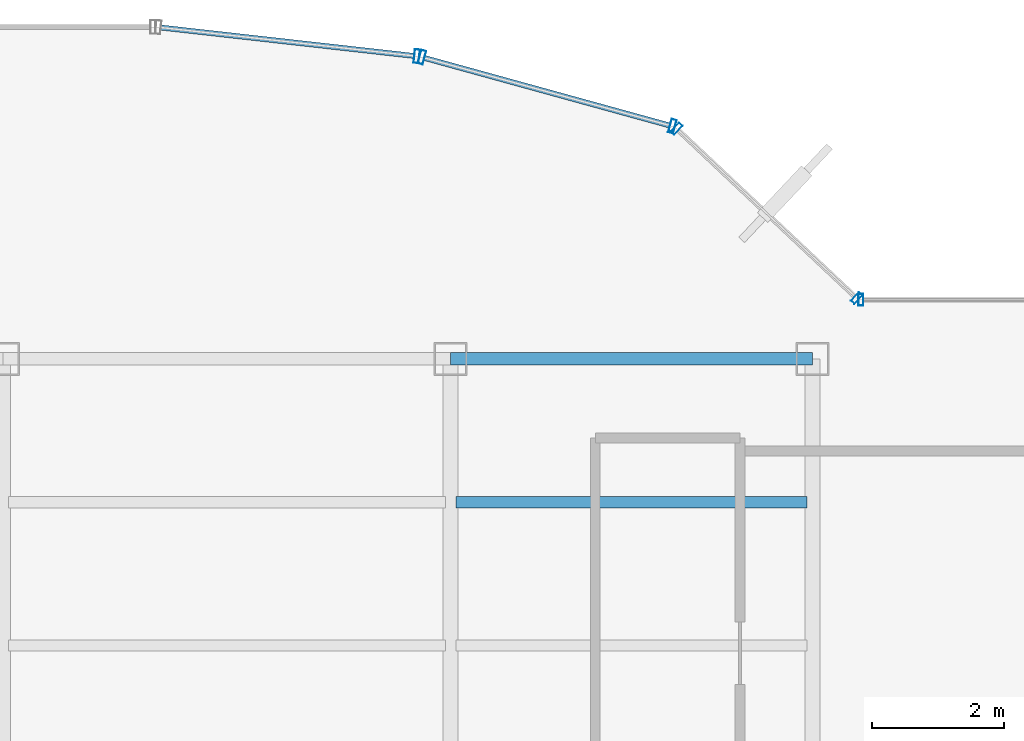
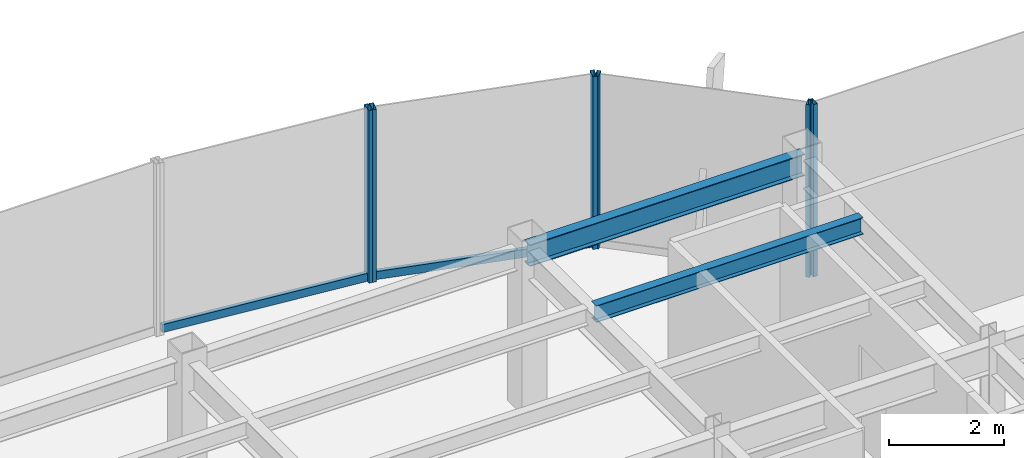
# One storey, part 14 of 22: 8 members, 2 beams, 4 elements without a shape of their own.
"""IFC4 building model written with IfcOpenShell, lengths in metres."""

from ifc_helpers import new_model, si_unit, derived_unit, direction, frame, origin, origin_2d, place, context, subcontext, project, spatial, hollow_rectangle, i_section, extrude, source, transform, mapped, material, material_profile, profile_set, type_object, element, aggregate, save


model = new_model("IFC4")

# Units and contexts
model_context = context("Model", 3, precision=1e-05, world=origin(), true_north=direction((0.0, 1.0)))
body_context = subcontext(model_context, "Body", "Model", "MODEL_VIEW")
ifc_project = project(units=[si_unit("LENGTHUNIT", "METRE"), si_unit("AREAUNIT", "SQUARE_METRE"), si_unit("VOLUMEUNIT", "CUBIC_METRE"), si_unit("PLANEANGLEUNIT", "RADIAN"), si_unit("MASSUNIT", "GRAM", prefix="KILO"), derived_unit("THERMALTRANSMITTANCEUNIT", [(si_unit("POWERUNIT", "WATT"), 1), (si_unit("LENGTHUNIT", "METRE"), -2), (si_unit("THERMODYNAMICTEMPERATUREUNIT", "KELVIN"), -1)])], contexts=[model_context])

# Site, building, storey
site_placement = place(None, origin())
site = spatial("IfcSite", under=ifc_project, at=site_placement, CompositionType="ELEMENT")
building_placement = place(site_placement, origin())
building = spatial("IfcBuilding", under=site, at=building_placement, Name="Skarnbrae Concourse Arena and Tower", CompositionType="ELEMENT")
storey_placement = place(building_placement, frame((0.0, 0.0, 199.550048828125)))
storey = spatial("IfcBuildingStorey", under=building, at=storey_placement, Name="L51", CompositionType="ELEMENT", Elevation=199.550048828125)

# Beams
ifc_material_1 = material(Name="Steel CSA G40.21 350W", Category="steel")
ifc_material_profile_1 = material_profile(ifc_material_1, i_section(OverallWidth=0.19091796875, OverallDepth=0.4599609375, WebThickness=0.010009765625, FlangeThickness=0.01611328125, at=origin_2d()), Name="W460X82")
ifc_profile_set_1 = profile_set([ifc_material_profile_1], Name="Steel CSA G40.21 350W")
beam_type_1 = type_object("IfcBeamType", Name="BM-SPAN-W460X82", PredefinedType="SPANDREL", material=ifc_profile_set_1)
shared_shape_1 = source(origin(), body_context, "Body", "SweptSolid", [
    extrude(i_section(OverallWidth=0.19091796875, OverallDepth=0.4599609375, WebThickness=0.010009765625, FlangeThickness=0.01611328125, at=origin_2d()), origin(), (0.0, 0.0, 1.0), 5.5),
])
beam_1_placement = place(storey_placement, frame((28.0, 34.39990234375, 3.169921875), z_axis=(1.0, 0.0, 0.0), x_axis=(0.0, 1.0, 0.0)))
element("IfcBeam", 1, at=beam_1_placement, inside=storey, type_object=beam_type_1, Name="L51 Perimeter spandrel Y34.4-4", PredefinedType="SPANDREL", context=body_context, shape_type="MappedRepresentation", body=[
    mapped(shared_shape_1, transform((0.0, 0.0, 0.0))),
])
ifc_material_profile_2 = material_profile(ifc_material_1, i_section(OverallWidth=0.1708984375, OverallDepth=0.35498046875, WebThickness=0.007080078125, FlangeThickness=0.01171875, at=origin_2d()), Name="W360X51")
ifc_profile_set_2 = profile_set([ifc_material_profile_2], Name="Steel CSA G40.21 350W")
beam_type_2 = type_object("IfcBeamType", Name="BM-JOIST-W360X51", PredefinedType="JOIST", material=ifc_profile_set_2)
shared_shape_2 = source(origin(), body_context, "Body", "SweptSolid", [
    extrude(i_section(OverallWidth=0.1708984375, OverallDepth=0.35498046875, WebThickness=0.007080078125, FlangeThickness=0.01171875, at=origin_2d()), origin(), (0.0, 0.0, 1.0), 5.33984375),
])
beam_2_placement = place(storey_placement, frame((28.080078125, 32.221923828125, 3.222412109375), z_axis=(1.0, 0.0, 0.0), x_axis=(0.0, 1.0, 0.0)))
element("IfcBeam", 2, at=beam_2_placement, inside=storey, type_object=beam_type_2, Name="L51 Secondary floor joist 3.2.4", PredefinedType="JOIST", context=body_context, shape_type="MappedRepresentation", body=[
    mapped(shared_shape_2, transform((0.0, 0.0, 0.0))),
])

# Curtain wall, members
ifc_material_2 = material(Name="Bronze anodised aluminium 6063-T6", Category="aluminium")
curtain_wall_type_1 = type_object("IfcCurtainWallType", Name="CW-SYS-03-PORTAL", PredefinedType="USERDEFINED", material=ifc_material_2)
curtain_wall_1_placement = place(storey_placement, origin())
curtain_wall_1 = element("IfcCurtainWall", 3, at=curtain_wall_1_placement, inside=storey, type_object=curtain_wall_type_1, Name="L51 Unitised curtain wall CW-L51-E09", ObjectType="UNITISED CURTAIN WALL", PredefinedType="USERDEFINED")
ifc_material_profile_3 = material_profile(ifc_material_2, hollow_rectangle(XDim=0.080078125, YDim=0.2099609375, WallThickness=0.00439453125, at=origin_2d()), Name="ALU-MULL-80X210")
ifc_profile_set_3 = profile_set([ifc_material_profile_3], Name="Bronze anodised aluminium 6063-T6")
member_type_1 = type_object("IfcMemberType", Name="CWM-CW-03", PredefinedType="MULLION", material=ifc_profile_set_3)
shared_shape_3 = source(origin(), body_context, "Body", "SweptSolid", [
    extrude(hollow_rectangle(XDim=0.080078125, YDim=0.2099609375, WallThickness=0.00439453125, at=origin_2d()), origin(), (0.0, 0.0, 1.0), 3.64990234375),
])
member_1_placement = place(storey_placement, frame((31.37109375, 37.937255859375, 0.0), z_axis=(0.0, 0.0, 1.0), x_axis=(-0.964057388766, 0.265694093207, 0.0)))
member_1 = element("IfcMember", 4, at=member_1_placement, type_object=member_type_1, Name="CW-L51-E09 Mullion 1", PredefinedType="MULLION", context=body_context, shape_type="MappedRepresentation", body=[
    mapped(shared_shape_3, transform((0.0, 0.0, 0.0))),
])
member_2_placement = place(storey_placement, frame((27.564453125, 38.986572265625, 0.0), z_axis=(0.0, 0.0, 1.0), x_axis=(-0.964057388766, 0.265694093207, 0.0)))
member_2 = element("IfcMember", 5, at=member_2_placement, type_object=member_type_1, Name="CW-L51-E09 Mullion 2", PredefinedType="MULLION", context=body_context, shape_type="MappedRepresentation", body=[
    mapped(shared_shape_3, transform((0.0, 0.0, 0.0))),
])

# Curtain wall, member
curtain_wall_2_placement = place(storey_placement, origin())
curtain_wall_2 = element("IfcCurtainWall", 6, at=curtain_wall_2_placement, inside=storey, type_object=curtain_wall_type_1, Name="L51 Unitised curtain wall CW-L51-E10", ObjectType="UNITISED CURTAIN WALL", PredefinedType="USERDEFINED")
member_3_placement = place(storey_placement, frame((27.486083984375, 39.001708984375, 0.0), z_axis=(0.0, 0.0, 1.0), x_axis=(-0.993768891873, 0.111460259941, 0.0)))
member_3 = element("IfcMember", 7, at=member_3_placement, type_object=member_type_1, Name="CW-L51-E10 Mullion 1", PredefinedType="MULLION", context=body_context, shape_type="MappedRepresentation", body=[
    mapped(shared_shape_3, transform((0.0, 0.0, 0.0))),
])

curtain_wall_type_2 = type_object("IfcCurtainWallType", Name="CW-SYS-05-HIGHZONE", PredefinedType="USERDEFINED", material=ifc_material_2)
curtain_wall_3_placement = place(storey_placement, origin())
curtain_wall_3 = element("IfcCurtainWall", 8, at=curtain_wall_3_placement, inside=storey, type_object=curtain_wall_type_2, Name="L51 Unitised curtain wall CW-L51-E07", ObjectType="UNITISED CURTAIN WALL", PredefinedType="USERDEFINED")
ifc_material_profile_4 = material_profile(ifc_material_2, hollow_rectangle(XDim=0.074951171875, YDim=0.179931640625, WallThickness=0.00390625, at=origin_2d()), Name="ALU-MULL-75X180")
ifc_profile_set_4 = profile_set([ifc_material_profile_4], Name="Bronze anodised aluminium 6063-T6")
member_type_2 = type_object("IfcMemberType", Name="CWM-CW-05", PredefinedType="MULLION", material=ifc_profile_set_4)
shared_shape_4 = source(origin(), body_context, "Body", "SweptSolid", [
    extrude(hollow_rectangle(XDim=0.074951171875, YDim=0.179931640625, WallThickness=0.00390625, at=origin_2d()), origin(), (0.0, 0.0, 1.0), 3.64990234375),
])
member_4_placement = place(storey_placement, frame((34.237548828125, 35.300048828125, 0.0), z_axis=(0.0, 0.0, 1.0), x_axis=(-1.0, 0.0, 0.0)))
member_4 = element("IfcMember", 9, at=member_4_placement, type_object=member_type_2, Name="CW-L51-E07 Mullion 2", PredefinedType="MULLION", context=body_context, shape_type="MappedRepresentation", body=[
    mapped(shared_shape_4, transform((0.0, 0.0, 0.0))),
])
aggregate(curtain_wall_3, [member_4])

# Curtain wall, members
curtain_wall_4_placement = place(storey_placement, origin())
curtain_wall_4 = element("IfcCurtainWall", 10, at=curtain_wall_4_placement, inside=storey, type_object=curtain_wall_type_2, Name="L51 Unitised curtain wall CW-L51-E08", ObjectType="UNITISED CURTAIN WALL", PredefinedType="USERDEFINED")
member_5_placement = place(storey_placement, frame((34.172607421875, 35.32568359375, 0.0), z_axis=(0.0, 0.0, 1.0), x_axis=(-0.728130555214, 0.685438468838, 0.0)))
member_5 = element("IfcMember", 11, at=member_5_placement, type_object=member_type_2, Name="CW-L51-E08 Mullion 1", PredefinedType="MULLION", context=body_context, shape_type="MappedRepresentation", body=[
    mapped(shared_shape_4, transform((0.0, 0.0, 0.0))),
])
member_6_placement = place(storey_placement, frame((31.43701171875, 37.90087890625, 0.0), z_axis=(0.0, 0.0, 1.0), x_axis=(-0.728130555214, 0.685438468838, 0.0)))
member_6 = element("IfcMember", 12, at=member_6_placement, type_object=member_type_2, Name="CW-L51-E08 Mullion 2", PredefinedType="MULLION", context=body_context, shape_type="MappedRepresentation", body=[
    mapped(shared_shape_4, transform((0.0, 0.0, 0.0))),
])
aggregate(curtain_wall_4, [member_5, member_6])

# Member
ifc_material_profile_5 = material_profile(ifc_material_2, hollow_rectangle(XDim=0.080078125, YDim=0.169921875, WallThickness=0.00439453125, at=origin_2d()), Name="ALU-TRAN-80X170")
ifc_profile_set_5 = profile_set([ifc_material_profile_5], Name="Bronze anodised aluminium 6063-T6")
member_type_3 = type_object("IfcMemberType", Name="CWT-CW-03", PredefinedType="USERDEFINED", material=ifc_profile_set_5)
shared_shape_5 = source(origin(), body_context, "Body", "SweptSolid", [
    extrude(hollow_rectangle(XDim=0.080078125, YDim=0.169921875, WallThickness=0.00439453125, at=origin_2d()), origin(), (0.0, 0.0, 1.0), 3.86865234375),
])
member_7_placement = place(storey_placement, frame((31.33251953125, 37.947998046875, 0.0849609375), z_axis=(-0.964062872218, 0.265674195983, 0.0), x_axis=(-0.265674195983, -0.964062872218, 0.0)))
member_7 = element("IfcMember", 13, at=member_7_placement, type_object=member_type_3, Name="CW-L51-E09 Transom 1", ObjectType="TRANSOM", PredefinedType="USERDEFINED", context=body_context, shape_type="MappedRepresentation", body=[
    mapped(shared_shape_5, transform((0.0, 0.0, 0.0))),
])

aggregate(curtain_wall_1, [member_1, member_2, member_7])

shared_shape_6 = source(origin(), body_context, "Body", "SweptSolid", [
    extrude(hollow_rectangle(XDim=0.080078125, YDim=0.169921875, WallThickness=0.00439453125, at=origin_2d()), origin(), (0.0, 0.0, 1.0), 3.873779296875),
])
member_8_placement = place(storey_placement, frame((27.4462890625, 39.006103515625, 0.0849609375), z_axis=(-0.993772558096, 0.111427567397, 0.0), x_axis=(-0.111427567397, -0.993772558096, 0.0)))
member_8 = element("IfcMember", 14, at=member_8_placement, type_object=member_type_3, Name="CW-L51-E10 Transom 1", ObjectType="TRANSOM", PredefinedType="USERDEFINED", context=body_context, shape_type="MappedRepresentation", body=[
    mapped(shared_shape_6, transform((0.0, 0.0, 0.0))),
])

aggregate(curtain_wall_2, [member_3, member_8])

save(model, "model.ifc")
